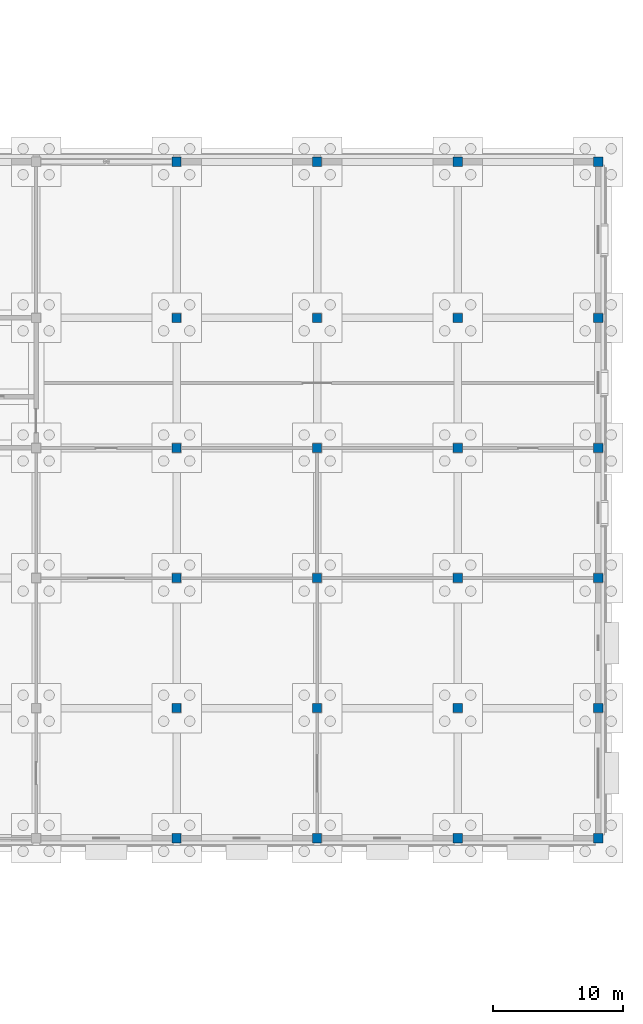
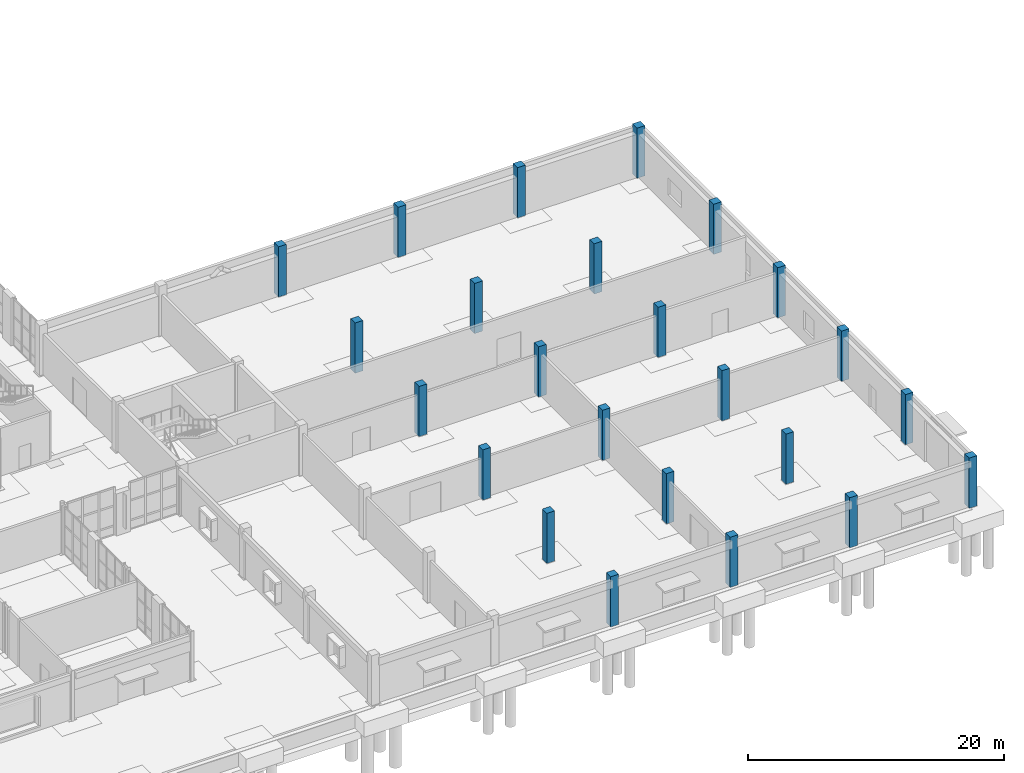
# One storey, part 21 of 73: 24 columns.
"""IFC4 building model written with IfcOpenShell, lengths in metres."""

import ifcopenshell
import ifcopenshell.guid

model = None  # the IFC model being written
_history = None  # IfcOwnerHistory: only IFC2X3 demands one
_inside = {}  # id of a spatial element -> (the spatial element, [elements in it])
_under = {}  # id of a project, library or spatial element -> (it, [spatial elements below it])
_declared = {}  # id of a project -> (the project, [libraries it declares])
_typed = {}  # id of a type object -> (the type object, [elements of that type])
_made_of = {}  # id of a material, layer set ... -> (it, [elements and type objects made of it])


def new_model(schema):
    """Start an empty IFC model of exactly this schema.

    Asked for "IFC4X3", IfcOpenShell would pick the latest addendum, in which some entities
    have other attributes; the version numbers below select the first issue.
    IFC2X3 requires an IfcOwnerHistory on every rooted entity: one is made here for all.
    """
    global model, _history
    if schema == "IFC4X3":
        model = ifcopenshell.file(schema_version=(4, 3, 0, 0))
    else:
        model = ifcopenshell.file(schema=schema)
    _inside.clear()
    _under.clear()
    _declared.clear()
    _typed.clear()
    _made_of.clear()
    _history = None
    if model.schema == "IFC2X3":
        org = make("IfcOrganization", Name="unknown")
        user = make(
            "IfcPersonAndOrganization",
            ThePerson=make("IfcPerson", FamilyName="unknown"),
            TheOrganization=org,
        )
        app = make(
            "IfcApplication",
            ApplicationDeveloper=org,
            Version="unknown",
            ApplicationFullName="unknown",
            ApplicationIdentifier="unknown",
        )
        _history = make(
            "IfcOwnerHistory",
            OwningUser=user,
            OwningApplication=app,
            ChangeAction="ADDED",
            CreationDate=0,
        )
    return model


def make(cls, **values):
    """One entity of the class cls with the attributes given. An attribute that is None is left unset."""
    return model.create_entity(
        cls, **{name: value for name, value in values.items() if value is not None}
    )


def rooted(cls, **values):
    """An entity with a GlobalId (a new one), such as an element, a storey or a relation."""
    return make(cls, GlobalId=ifcopenshell.guid.new(), OwnerHistory=_history, **values)


def si_unit(unit_type, name, prefix=None):
    """IfcSIUnit, for example si_unit("LENGTHUNIT", "METRE", prefix="MILLI")."""
    return make("IfcSIUnit", UnitType=unit_type, Prefix=prefix, Name=name)


def assignment(units):
    """IfcUnitAssignment: the units of a project."""
    return None if units is None else make("IfcUnitAssignment", Units=units)


def point(xyz):
    """IfcCartesianPoint."""
    return None if xyz is None else make("IfcCartesianPoint", Coordinates=xyz)


def direction(xyz):
    """IfcDirection."""
    return None if xyz is None else make("IfcDirection", DirectionRatios=xyz)


def frame(location, z_axis=None, x_axis=None):
    """IfcAxis2Placement3D, a coordinate frame: its origin and axes. An axis left out is left unset."""
    return make(
        "IfcAxis2Placement3D",
        Location=point(location),
        Axis=direction(z_axis),
        RefDirection=direction(x_axis),
    )


def frame_2d(location, x_axis=None):
    """IfcAxis2Placement2D, a coordinate frame in the plane: its origin and x axis."""
    return make(
        "IfcAxis2Placement2D", Location=point(location), RefDirection=direction(x_axis)
    )


def origin():
    """The frame at (0, 0, 0) with its axes left unset."""
    return frame((0.0, 0.0, 0.0))


def origin_2d():
    """The frame at (0, 0) in the plane with its x axis left unset."""
    return frame_2d((0.0, 0.0))


def place(relative_to, where):
    """IfcLocalPlacement: puts the frame where relative to a parent placement (None: the world)."""
    return make(
        "IfcLocalPlacement", PlacementRelTo=relative_to, RelativePlacement=where
    )


def context(
    kind, dimensions, precision=None, world=None, true_north=None, identifier=None
):
    """IfcGeometricRepresentationContext, for example the 3D "Model" context."""
    return make(
        "IfcGeometricRepresentationContext",
        ContextIdentifier=identifier,
        ContextType=kind,
        CoordinateSpaceDimension=dimensions,
        Precision=precision,
        WorldCoordinateSystem=world,
        TrueNorth=true_north,
    )


def subcontext(parent, identifier, kind, view, scale=None):
    """IfcGeometricRepresentationSubContext, for example "Body" below "Model"."""
    return make(
        "IfcGeometricRepresentationSubContext",
        ContextIdentifier=identifier,
        ContextType=kind,
        ParentContext=parent,
        TargetScale=scale,
        TargetView=view,
    )


def project(units=None, contexts=None):
    """IfcProject with its units and contexts."""
    return rooted(
        "IfcProject",
        Name="project",
        RepresentationContexts=contexts,
        UnitsInContext=assignment(units),
    )


def spatial(cls, under=None, at=None, **own):
    """A site, building, storey or space (cls), placed at a placement, below another one or the project."""
    s = rooted(cls, ObjectPlacement=at, **own)
    if under is not None:
        _under.setdefault(under.id(), (under, []))[1].append(s)
    return s


def profile(cls, at=None, kind="AREA", **sizes):
    """A parametric profile (cls). Its sizes go by their IFC names, for example OverallWidth=200.0."""
    return make(cls, ProfileType=kind, Position=at, **sizes)


def rectangle(**sizes):
    """IfcRectangleProfileDef."""
    return profile("IfcRectangleProfileDef", **sizes)


def extrude(swept, where, along, depth):
    """IfcExtrudedAreaSolid: the profile swept, set in the frame where, extruded along a direction by depth."""
    return make(
        "IfcExtrudedAreaSolid",
        SweptArea=swept,
        Position=where,
        ExtrudedDirection=direction(along),
        Depth=depth,
    )


def shape(context_of_items, identifier, shape_type, items):
    """IfcShapeRepresentation: the items that make up one representation, for example the "Body"."""
    return make(
        "IfcShapeRepresentation",
        ContextOfItems=context_of_items,
        RepresentationIdentifier=identifier,
        RepresentationType=shape_type,
        Items=items,
    )


def material(Name=None, Category=None):
    """IfcMaterial."""
    return make("IfcMaterial", Name=Name, Category=Category)


def material_profile(
    of_material, cross_section, Name=None, Category=None, Priority=None
):
    """IfcMaterialProfile: a cross section and its material."""
    return make(
        "IfcMaterialProfile",
        Name=Name,
        Material=of_material,
        Profile=cross_section,
        Priority=Priority,
        Category=Category,
    )


def profile_set(profiles, Name=None, composite=None):
    """IfcMaterialProfileSet."""
    return make(
        "IfcMaterialProfileSet",
        Name=Name,
        MaterialProfiles=profiles,
        CompositeProfile=composite,
    )


def made_of(thing, what):
    """Note that an element or type object is made of a material, layer set ...; save() writes the relation."""
    if what is not None:
        _made_of.setdefault(what.id(), (what, []))[1].append(thing)
    return thing


def type_object(cls, material=None, **own):
    """A type object (cls), such as IfcWallType, which elements share."""
    return made_of(rooted(cls, **own), material)


def element(
    cls,
    number,
    at=None,
    inside=None,
    cuts=None,
    type_object=None,
    material=None,
    context=None,
    identifier="Body",
    shape_type=None,
    held_by="IfcProductDefinitionShape",
    body=None,
    shapes=None,
    **own,
):
    """One element of the class cls, such as IfcWall. Its Tag is "e" and its number.

    at: its placement. inside: the storey or other place that contains it. cuts: it is an
    opening in that element (IfcRelVoidsElement). A single representation is given by context,
    identifier, shape_type and body (its items); several are given by shapes. held_by: the class
    of the entity that holds the representations. save() writes the other relations.
    """
    e = rooted(cls, Tag="e%d" % number, ObjectPlacement=at, **own)
    if body is not None:
        shapes = [shape(context, identifier, shape_type, body)]
    if shapes is not None:
        e.Representation = make(held_by, Representations=shapes)
    if inside is not None:
        _inside.setdefault(inside.id(), (inside, []))[1].append(e)
    if cuts is not None:
        rooted(
            "IfcRelVoidsElement", RelatingBuildingElement=cuts, RelatedOpeningElement=e
        )
    if type_object is not None:
        _typed.setdefault(type_object.id(), (type_object, []))[1].append(e)
    return made_of(e, material)


def aggregate(whole, parts):
    """IfcRelAggregates: a whole, such as a stair, and the parts it consists of."""
    return rooted("IfcRelAggregates", RelatingObject=whole, RelatedObjects=parts)


def save(model, path):
    """Write the relations noted so far, then the file.

    IfcRelAggregates (storeys below a building ...), IfcRelContainedInSpatialStructure (elements
    in a storey), IfcRelDefinesByType, IfcRelAssociatesMaterial and IfcRelDeclares: one each for
    every whole, place, type object, material and project.
    """
    for whole, parts in _under.values():
        aggregate(whole, parts)
    for where, things in _inside.values():
        rooted(
            "IfcRelContainedInSpatialStructure",
            RelatedElements=things,
            RelatingStructure=where,
        )
    for kind, things in _typed.values():
        rooted("IfcRelDefinesByType", RelatedObjects=things, RelatingType=kind)
    for what, things in _made_of.values():
        rooted("IfcRelAssociatesMaterial", RelatedObjects=things, RelatingMaterial=what)
    for by, libraries in _declared.values():
        rooted("IfcRelDeclares", RelatingContext=by, RelatedDefinitions=libraries)
    model.write(path)


model = new_model("IFC4")

# Units and contexts
model_context = context("Model", 3, precision=1e-05, world=origin(), true_north=direction((0.0, 1.0)))
body_context = subcontext(model_context, "Body", "Model", "MODEL_VIEW")
ifc_project = project(units=[si_unit("LENGTHUNIT", "METRE"), si_unit("AREAUNIT", "SQUARE_METRE"), si_unit("VOLUMEUNIT", "CUBIC_METRE"), si_unit("PLANEANGLEUNIT", "RADIAN"), si_unit("MASSUNIT", "GRAM", prefix="KILO")], contexts=[model_context])

# Site, building, storey
site_placement = place(None, origin())
site = spatial("IfcSite", under=ifc_project, at=site_placement, CompositionType="ELEMENT")
building_placement = place(site_placement, origin())
building = spatial("IfcBuilding", under=site, at=building_placement, Name="Tasgan Crest Museum", CompositionType="ELEMENT")
storey_placement = place(building_placement, origin())
storey = spatial("IfcBuildingStorey", under=building, at=storey_placement, Name="L00", CompositionType="ELEMENT", Elevation=0.0)

# Columns
ifc_material = material(Name="Concrete C40/50", Category="concrete")
ifc_material_profile = material_profile(ifc_material, rectangle(XDim=0.699951171875, YDim=0.699951171875, at=origin_2d()), Name="RC 700x700")
ifc_profile_set = profile_set([ifc_material_profile], Name="Concrete C40/50")
column_type = type_object("IfcColumnType", Name="COL-RC700", PredefinedType="COLUMN", material=ifc_profile_set)
for number, where, z_axis, x_axis, name in (
    (1, (129.60009765625, 10.0, 0.0), (0.0, 0.0, 1.0), (1.0, 0.0, 0.0), "Column 13/B L00"),
    (2, (129.60009765625, 20.0, 0.0), (0.0, 0.0, 1.0), (1.0, 0.0, 0.0), "Column 13/C L00"),
    (3, (129.60009765625, 30.0, 0.0), (0.0, 0.0, 1.0), (1.0, 0.0, 0.0), "Column 13/D L00"),
    (4, (129.60009765625, 40.0, 0.0), (0.0, 0.0, 1.0), (1.0, 0.0, 0.0), "Column 13/E L00"),
    (5, (129.60009765625, 50.0, 0.0), (0.0, 0.0, 1.0), (1.0, 0.0, 0.0), "Column 13/F L00"),
    (6, (129.60009765625, 62.0, 0.0), (0.0, 0.0, 1.0), (1.0, 0.0, 0.0), "Column 13/G L00"),
    (7, (140.39990234375, 10.0, 0.0), (0.0, 0.0, 1.0), (1.0, 0.0, 0.0), "Column 14/B L00"),
    (8, (140.39990234375, 20.0, 0.0), (0.0, 0.0, 1.0), (1.0, 0.0, 0.0), "Column 14/C L00"),
    (9, (140.39990234375, 30.0, 0.0), (0.0, 0.0, 1.0), (1.0, 0.0, 0.0), "Column 14/D L00"),
    (10, (140.39990234375, 40.0, 0.0), (0.0, 0.0, 1.0), (1.0, 0.0, 0.0), "Column 14/E L00"),
    (11, (140.39990234375, 50.0, 0.0), (0.0, 0.0, 1.0), (1.0, 0.0, 0.0), "Column 14/F L00"),
    (12, (140.39990234375, 62.0, 0.0), (0.0, 0.0, 1.0), (1.0, 0.0, 0.0), "Column 14/G L00"),
    (13, (151.199951171875, 10.0, 0.0), (0.0, 0.0, 1.0), (1.0, 0.0, 0.0), "Column 15/B L00"),
    (14, (151.199951171875, 20.0, 0.0), (0.0, 0.0, 1.0), (1.0, 0.0, 0.0), "Column 15/C L00"),
    (15, (151.199951171875, 30.0, 0.0), (0.0, 0.0, 1.0), (1.0, 0.0, 0.0), "Column 15/D L00"),
    (16, (151.199951171875, 40.0, 0.0), (0.0, 0.0, 1.0), (1.0, 0.0, 0.0), "Column 15/E L00"),
    (17, (151.199951171875, 50.0, 0.0), (0.0, 0.0, 1.0), (1.0, 0.0, 0.0), "Column 15/F L00"),
    (18, (151.199951171875, 62.0, 0.0), (0.0, 0.0, 1.0), (1.0, 0.0, 0.0), "Column 15/G L00"),
    (19, (162.0, 10.0, 0.0), (0.0, 0.0, 1.0), (1.0, 0.0, 0.0), "Column 16/B L00"),
    (20, (162.0, 20.0, 0.0), (0.0, 0.0, 1.0), (1.0, 0.0, 0.0), "Column 16/C L00"),
    (21, (162.0, 30.0, 0.0), (0.0, 0.0, 1.0), (1.0, 0.0, 0.0), "Column 16/D L00"),
    (22, (162.0, 40.0, 0.0), (0.0, 0.0, 1.0), (1.0, 0.0, 0.0), "Column 16/E L00"),
    (23, (162.0, 50.0, 0.0), (0.0, 0.0, 1.0), (1.0, 0.0, 0.0), "Column 16/F L00"),
    (24, (162.0, 62.0, 0.0), (0.0, 0.0, 1.0), (1.0, 0.0, 0.0), "Column 16/G L00"),
):
    element("IfcColumn", number, at=place(storey_placement, frame(where, z_axis=z_axis, x_axis=x_axis)), inside=storey, type_object=column_type, Name=name, PredefinedType="COLUMN", context=body_context, shape_type="SweptSolid", body=[
        extrude(rectangle(XDim=0.699951171875, YDim=0.699951171875, at=origin_2d()), origin(), (0.0, 0.0, 1.0), 4.800048828125),
    ])

save(model, "model.ifc")
